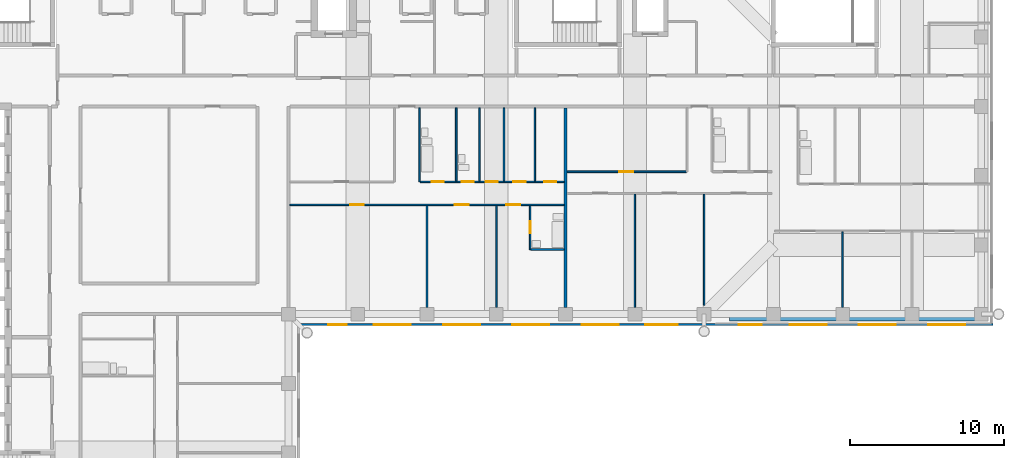
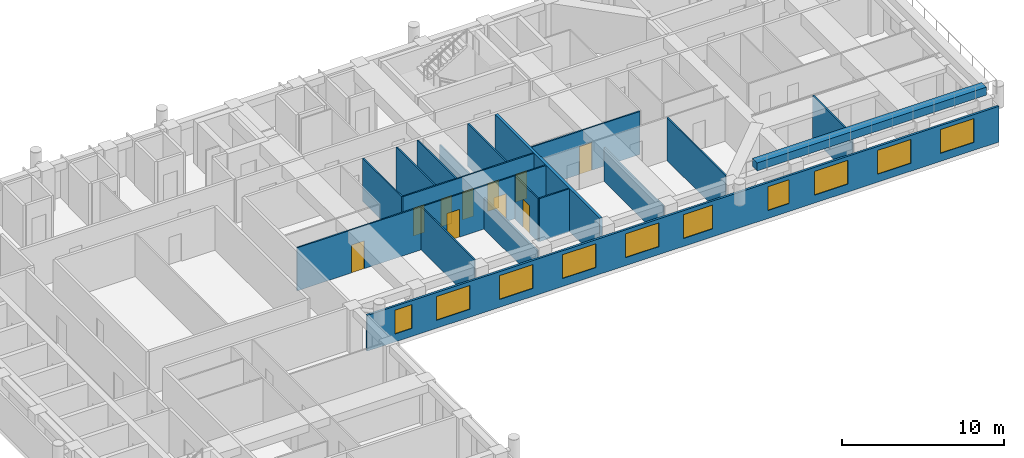
# One storey, part 9 of 14: 18 walls, 10 doors, 10 windows, 20 openings.
"""IFC4 building model written with IfcOpenShell, lengths in metres."""

from ifc_helpers import new_model, si_unit, direction, frame, frame_2d, origin, place, context, subcontext, project, spatial, rectangle, extrude, material, layer, layer_set, type_object, element, fill, save


model = new_model("IFC4")

# Units and contexts
model_context = context("Model", 3, precision=1e-05, world=origin(), true_north=direction((0.0, 1.0)))
body_context = subcontext(model_context, "Body", "Model", "MODEL_VIEW")
ifc_project = project(units=[si_unit("LENGTHUNIT", "METRE"), si_unit("AREAUNIT", "SQUARE_METRE"), si_unit("VOLUMEUNIT", "CUBIC_METRE"), si_unit("PLANEANGLEUNIT", "RADIAN"), si_unit("MASSUNIT", "GRAM", prefix="KILO")], contexts=[model_context])

# Site, building, storey
site_placement = place(None, origin())
site = spatial("IfcSite", under=ifc_project, at=site_placement, CompositionType="ELEMENT")
building_placement = place(site_placement, origin())
building = spatial("IfcBuilding", under=site, at=building_placement, Name="Firuza Court", CompositionType="ELEMENT")
storey_placement = place(building_placement, frame((0.0, 0.0, 182.60009765625)))
storey = spatial("IfcBuildingStorey", under=building, at=storey_placement, Name="L46", CompositionType="ELEMENT", Elevation=182.60009765625)

# Wall, opening, door
ifc_material_1 = material(Name="Moisture-resistant gypsum board partition")
ifc_layer_1 = layer(ifc_material_1, 0.10009765625)
ifc_layer_set_1 = layer_set([ifc_layer_1], Name="Moisture-resistant gypsum board partition")
wall_type_1 = type_object("IfcWallType", Name="Bathroom partition 100", PredefinedType="PLUMBINGWALL", material=ifc_layer_set_1)
wall_1_placement = place(storey_placement, frame((38.199951171875, 40.199951171875, 0.0), z_axis=(0.0, 0.0, 1.0), x_axis=(0.0, 1.0, 0.0)))
wall_1 = element("IfcWall", 1, at=wall_1_placement, inside=storey, type_object=wall_type_1, Name="Bathroom partition 100 L46", PredefinedType="PLUMBINGWALL", context=body_context, shape_type="SweptSolid", body=[
    extrude(rectangle(XDim=2.85009765625, YDim=0.10009765625, at=frame_2d((1.425048828125, 0.0))), origin(), (0.0, 0.0, 1.0), 3.25),
])
opening_1_placement = place(wall_1_placement, frame((1.050048828125, 0.0, 0.0)))
opening_1 = element("IfcOpeningElement", 2, at=opening_1_placement, cuts=wall_1, Name="Opening D46037", PredefinedType="OPENING", context=body_context, shape_type="SweptSolid", body=[
    extrude(rectangle(XDim=0.800048828125, YDim=2.10009765625, at=frame_2d((0.39990234375, 1.050048828125))), frame((0.0, 0.06201171875, 0.0), z_axis=(0.0, -1.0, 0.0), x_axis=(1.0, 0.0, 0.0)), (0.0, 0.0, 1.0), 0.1240234375),
])
ifc_material_2 = material(Name="Timber door leaf in hardwood frame", Category="wood")
door_type_1 = type_object("IfcDoorType", Name="Bathroom door 800", OperationType="SINGLE_SWING_LEFT", PredefinedType="DOOR", material=ifc_material_2)
door_1_placement = place(opening_1_placement, frame((0.800048828125, 0.0, 0.0), z_axis=(0.0, 0.0, 1.0), x_axis=(-1.0, 0.0, 0.0)))
door_1 = element("IfcDoor", 3, at=door_1_placement, inside=storey, type_object=door_type_1, Name="En-suite door", OperationType="SINGLE_SWING_RIGHT", OverallHeight=2.10009765625, OverallWidth=0.800048828125, PredefinedType="DOOR", context=body_context, shape_type="SweptSolid", body=[
    extrude(rectangle(XDim=0.800048828125, YDim=2.10009765625, at=frame_2d((0.39990234375, 1.050048828125))), frame((0.0, 0.02490234375, 0.0), z_axis=(0.0, -1.0, 0.0), x_axis=(1.0, 0.0, 0.0)), (0.0, 0.0, 1.0), 0.050048828125),
])
fill(opening_1, door_1)

# Walls
wall_2_placement = place(storey_placement, frame((38.25, 40.199951171875, 0.0), z_axis=(0.0, 0.0, 1.0), x_axis=(1.0, 0.0, 0.0)))
element("IfcWall", 4, at=wall_2_placement, inside=storey, type_object=wall_type_1, Name="Bathroom partition 100 L46", PredefinedType="PLUMBINGWALL", context=body_context, shape_type="SweptSolid", body=[
    extrude(rectangle(XDim=2.14990234375, YDim=0.10009765625, at=frame_2d((1.074951171875, 0.0))), origin(), (0.0, 0.0, 1.0), 3.25),
])
wall_3_placement = place(storey_placement, frame((31.0, 44.60009765625, 0.0), z_axis=(0.0, 0.0, 1.0), x_axis=(0.0, 1.0, 0.0)))
element("IfcWall", 5, at=wall_3_placement, inside=storey, type_object=wall_type_1, Name="Bathroom partition 100 L46", PredefinedType="PLUMBINGWALL", context=body_context, shape_type="SweptSolid", body=[
    extrude(rectangle(XDim=4.7998046875, YDim=0.10009765625, at=frame_2d((2.39990234375, 0.0))), origin(), (0.0, 0.0, 1.0), 3.25),
])
for number, where, z_axis, x_axis, name in (
    (6, (33.39990234375, 44.64990234375, 0.0), (0.0, 0.0, 1.0), (0.0, 1.0, 0.0), "Bathroom partition 100 L46"),
    (7, (34.89990234375, 44.64990234375, 0.0), (0.0, 0.0, 1.0), (0.0, 1.0, 0.0), "Bathroom partition 100 L46"),
):
    element("IfcWall", number, at=place(storey_placement, frame(where, z_axis=z_axis, x_axis=x_axis)), inside=storey, type_object=wall_type_1, Name=name, PredefinedType="PLUMBINGWALL", context=body_context, shape_type="SweptSolid", body=[
        extrude(rectangle(XDim=4.75, YDim=0.10009765625, at=frame_2d((2.375, 0.0))), origin(), (0.0, 0.0, 1.0), 3.25),
    ])
ifc_material_3 = material(Name="Timber stud partition, plasterboard both sides", Category="wood")
ifc_layer_2 = layer(ifc_material_3, 0.10009765625)
ifc_layer_set_2 = layer_set([ifc_layer_2], Name="Timber stud partition, plasterboard both sides")
wall_type_2 = type_object("IfcWallType", Name="Partition wall 100", PredefinedType="PARTITIONING", material=ifc_layer_set_2)
wall_4_placement = place(storey_placement, frame((31.5, 36.449951171875, 0.0), z_axis=(0.0, 0.0, 1.0), x_axis=(0.0, 1.0, 0.0)))
element("IfcWall", 8, at=wall_4_placement, inside=storey, type_object=wall_type_2, Name="Partition wall 100 L46", PredefinedType="PARTITIONING", context=body_context, shape_type="SweptSolid", body=[
    extrude(rectangle(XDim=6.60009765625, YDim=0.10009765625, at=frame_2d((3.300048828125, 0.0))), origin(), (0.0, 0.0, 1.0), 3.25),
])
wall_5_placement = place(storey_placement, frame((36.0, 36.449951171875, 0.0), z_axis=(0.0, 0.0, 1.0), x_axis=(0.0, 1.0, 0.0)))
element("IfcWall", 9, at=wall_5_placement, inside=storey, type_object=wall_type_2, Name="Partition wall 100 L46", PredefinedType="PARTITIONING", context=body_context, shape_type="SweptSolid", body=[
    extrude(rectangle(XDim=6.60009765625, YDim=0.10009765625, at=frame_2d((3.300048828125, 0.0))), origin(), (0.0, 0.0, 1.0), 2.349853515625),
])
wall_6_placement = place(storey_placement, frame((45.0, 36.449951171875, 0.0), z_axis=(0.0, 0.0, 1.0), x_axis=(0.0, 1.0, 0.0)))
element("IfcWall", 10, at=wall_6_placement, inside=storey, type_object=wall_type_2, Name="Partition wall 100 L46", PredefinedType="PARTITIONING", context=body_context, shape_type="SweptSolid", body=[
    extrude(rectangle(XDim=7.35009765625, YDim=0.10009765625, at=frame_2d((3.675048828125, 0.0))), origin(), (0.0, 0.0, 1.0), 2.5498046875),
])
wall_7_placement = place(storey_placement, frame((49.5, 36.565673828125, 0.0), z_axis=(0.0, 0.0, 1.0), x_axis=(0.0, 1.0, 0.0)))
element("IfcWall", 11, at=wall_7_placement, inside=storey, type_object=wall_type_2, Name="Partition wall 100 L46", PredefinedType="PARTITIONING", context=body_context, shape_type="SweptSolid", body=[
    extrude(rectangle(XDim=7.234375, YDim=0.10009765625, at=frame_2d((3.6171875, 0.0))), origin(), (0.0, 0.0, 1.0), 3.25),
])
wall_8_placement = place(storey_placement, frame((58.5, 36.449951171875, 0.0), z_axis=(0.0, 0.0, 1.0), x_axis=(0.0, 1.0, 0.0)))
element("IfcWall", 12, at=wall_8_placement, inside=storey, type_object=wall_type_2, Name="Partition wall 100 L46", PredefinedType="PARTITIONING", context=body_context, shape_type="SweptSolid", body=[
    extrude(rectangle(XDim=4.900146484375, YDim=0.10009765625, at=frame_2d((2.4501953125, 0.0))), origin(), (0.0, 0.0, 1.0), 3.25),
])

# Wall, openings, doors
wall_9_placement = place(storey_placement, frame((22.60009765625, 43.10009765625, 0.0), z_axis=(0.0, 0.0, 1.0), x_axis=(1.0, 0.0, 0.0)))
wall_9 = element("IfcWall", 13, at=wall_9_placement, inside=storey, type_object=wall_type_2, Name="Partition wall 100 L46", PredefinedType="PARTITIONING", context=body_context, shape_type="SweptSolid", body=[
    extrude(rectangle(XDim=17.7998046875, YDim=0.10009765625, at=frame_2d((8.89990234375, 0.0))), origin(), (0.0, 0.0, 1.0), 3.25),
])
opening_2_placement = place(wall_9_placement, frame((3.89990234375, 0.0, 0.0)))
opening_2 = element("IfcOpeningElement", 14, at=opening_2_placement, cuts=wall_9, Name="Opening D46041", PredefinedType="OPENING", context=body_context, shape_type="SweptSolid", body=[
    extrude(rectangle(XDim=0.89990234375, YDim=2.10009765625, at=frame_2d((0.449951171875, 1.050048828125))), frame((0.0, 0.06201171875, 0.0), z_axis=(0.0, -1.0, 0.0), x_axis=(1.0, 0.0, 0.0)), (0.0, 0.0, 1.0), 0.1240234375),
])
opening_3_placement = place(wall_9_placement, frame((10.699951171875, 0.0, 0.0)))
opening_3 = element("IfcOpeningElement", 15, at=opening_3_placement, cuts=wall_9, Name="Opening D46042", PredefinedType="OPENING", context=body_context, shape_type="SweptSolid", body=[
    extrude(rectangle(XDim=0.89990234375, YDim=2.10009765625, at=frame_2d((0.449951171875, 1.050048828125))), frame((0.0, 0.06201171875, 0.0), z_axis=(0.0, -1.0, 0.0), x_axis=(1.0, 0.0, 0.0)), (0.0, 0.0, 1.0), 0.1240234375),
])
opening_4_placement = place(wall_9_placement, frame((14.050048828125, 0.0, 0.0)))
opening_4 = element("IfcOpeningElement", 16, at=opening_4_placement, cuts=wall_9, Name="Opening D46043", PredefinedType="OPENING", context=body_context, shape_type="SweptSolid", body=[
    extrude(rectangle(XDim=0.89990234375, YDim=2.10009765625, at=frame_2d((0.449951171875, 1.050048828125))), frame((0.0, 0.06201171875, 0.0), z_axis=(0.0, -1.0, 0.0), x_axis=(1.0, 0.0, 0.0)), (0.0, 0.0, 1.0), 0.1240234375),
])
ifc_material_4 = material(Name="Timber door leaf in hardwood frame", Category="wood")
door_type_2 = type_object("IfcDoorType", Name="Room door 900", OperationType="SINGLE_SWING_LEFT", PredefinedType="DOOR", material=ifc_material_4)
door_2_placement = place(opening_2_placement, frame((0.89990234375, 0.0, 0.0), z_axis=(0.0, 0.0, 1.0), x_axis=(-1.0, 0.0, 0.0)))
door_2 = element("IfcDoor", 17, at=door_2_placement, inside=storey, type_object=door_type_2, Name="Living room door", OperationType="SINGLE_SWING_RIGHT", OverallHeight=2.10009765625, OverallWidth=0.89990234375, PredefinedType="DOOR", context=body_context, shape_type="SweptSolid", body=[
    extrude(rectangle(XDim=0.89990234375, YDim=2.10009765625, at=frame_2d((0.449951171875, 1.050048828125))), frame((0.0, 0.02490234375, 0.0), z_axis=(0.0, -1.0, 0.0), x_axis=(1.0, 0.0, 0.0)), (0.0, 0.0, 1.0), 0.050048828125),
])
fill(opening_2, door_2)
door_3_placement = place(opening_3_placement, frame((0.89990234375, 0.0, 0.0), z_axis=(0.0, 0.0, 1.0), x_axis=(-1.0, 0.0, 0.0)))
door_3 = element("IfcDoor", 18, at=door_3_placement, inside=storey, type_object=door_type_2, Name="Bedroom door", OperationType="SINGLE_SWING_RIGHT", OverallHeight=2.10009765625, OverallWidth=0.89990234375, PredefinedType="DOOR", context=body_context, shape_type="SweptSolid", body=[
    extrude(rectangle(XDim=0.89990234375, YDim=2.10009765625, at=frame_2d((0.449951171875, 1.050048828125))), frame((0.0, 0.02490234375, 0.0), z_axis=(0.0, -1.0, 0.0), x_axis=(1.0, 0.0, 0.0)), (0.0, 0.0, 1.0), 0.050048828125),
])
fill(opening_3, door_3)
door_4_placement = place(opening_4_placement, frame((0.89990234375, 0.0, 0.0), z_axis=(0.0, 0.0, 1.0), x_axis=(-1.0, 0.0, 0.0)))
door_4 = element("IfcDoor", 19, at=door_4_placement, inside=storey, type_object=door_type_2, Name="Bedroom door", OperationType="SINGLE_SWING_RIGHT", OverallHeight=2.10009765625, OverallWidth=0.89990234375, PredefinedType="DOOR", context=body_context, shape_type="SweptSolid", body=[
    extrude(rectangle(XDim=0.89990234375, YDim=2.10009765625, at=frame_2d((0.449951171875, 1.050048828125))), frame((0.0, 0.02490234375, 0.0), z_axis=(0.0, -1.0, 0.0), x_axis=(1.0, 0.0, 0.0)), (0.0, 0.0, 1.0), 0.050048828125),
])
fill(opening_4, door_4)

wall_10_placement = place(storey_placement, frame((31.050048828125, 44.60009765625, 0.0), z_axis=(0.0, 0.0, 1.0), x_axis=(1.0, 0.0, 0.0)))
wall_10 = element("IfcWall", 20, at=wall_10_placement, inside=storey, type_object=wall_type_2, Name="Partition wall 100 L46", PredefinedType="PARTITIONING", context=body_context, shape_type="SweptSolid", body=[
    extrude(rectangle(XDim=9.349853515625, YDim=0.10009765625, at=frame_2d((4.6748046875, 0.0))), origin(), (0.0, 0.0, 1.0), 3.25),
])
opening_5_placement = place(wall_10_placement, frame((0.75, 0.0, 0.0)))
opening_5 = element("IfcOpeningElement", 21, at=opening_5_placement, cuts=wall_10, Name="Opening D46051", PredefinedType="OPENING", context=body_context, shape_type="SweptSolid", body=[
    extrude(rectangle(XDim=0.800048828125, YDim=2.10009765625, at=frame_2d((0.39990234375, 1.050048828125))), frame((0.0, 0.06201171875, 0.0), z_axis=(0.0, -1.0, 0.0), x_axis=(1.0, 0.0, 0.0)), (0.0, 0.0, 1.0), 0.1240234375),
])
opening_6_placement = place(wall_10_placement, frame((8.050048828125, 0.0, 0.0)))
opening_6 = element("IfcOpeningElement", 22, at=opening_6_placement, cuts=wall_10, Name="Opening D46052", PredefinedType="OPENING", context=body_context, shape_type="SweptSolid", body=[
    extrude(rectangle(XDim=0.800048828125, YDim=2.10009765625, at=frame_2d((0.39990234375, 1.050048828125))), frame((0.0, 0.06201171875, 0.0), z_axis=(0.0, -1.0, 0.0), x_axis=(1.0, 0.0, 0.0)), (0.0, 0.0, 1.0), 0.1240234375),
])
opening_7_placement = place(wall_10_placement, frame((4.25, 0.0, 0.0)))
opening_7 = element("IfcOpeningElement", 23, at=opening_7_placement, cuts=wall_10, Name="Opening D46053", PredefinedType="OPENING", context=body_context, shape_type="SweptSolid", body=[
    extrude(rectangle(XDim=0.800048828125, YDim=2.10009765625, at=frame_2d((0.39990234375, 1.050048828125))), frame((0.0, 0.06201171875, 0.0), z_axis=(0.0, -1.0, 0.0), x_axis=(1.0, 0.0, 0.0)), (0.0, 0.0, 1.0), 0.1240234375),
])
opening_8_placement = place(wall_10_placement, frame((6.050048828125, 0.0, 0.0)))
opening_8 = element("IfcOpeningElement", 24, at=opening_8_placement, cuts=wall_10, Name="Opening D46054", PredefinedType="OPENING", context=body_context, shape_type="SweptSolid", body=[
    extrude(rectangle(XDim=0.800048828125, YDim=2.10009765625, at=frame_2d((0.39990234375, 1.050048828125))), frame((0.0, 0.06201171875, 0.0), z_axis=(0.0, -1.0, 0.0), x_axis=(1.0, 0.0, 0.0)), (0.0, 0.0, 1.0), 0.1240234375),
])
opening_9_placement = place(wall_10_placement, frame((2.699951171875, 0.0, 0.0)))
opening_9 = element("IfcOpeningElement", 25, at=opening_9_placement, cuts=wall_10, Name="Opening D46055", PredefinedType="OPENING", context=body_context, shape_type="SweptSolid", body=[
    extrude(rectangle(XDim=0.800048828125, YDim=2.10009765625, at=frame_2d((0.39990234375, 1.050048828125))), frame((0.0, 0.06201171875, 0.0), z_axis=(0.0, -1.0, 0.0), x_axis=(1.0, 0.0, 0.0)), (0.0, 0.0, 1.0), 0.1240234375),
])
door_5_placement = place(opening_5_placement, origin())
door_5 = element("IfcDoor", 26, at=door_5_placement, inside=storey, type_object=door_type_1, Name="Bathroom door", OperationType="SINGLE_SWING_LEFT", OverallHeight=2.10009765625, OverallWidth=0.800048828125, PredefinedType="DOOR", context=body_context, shape_type="SweptSolid", body=[
    extrude(rectangle(XDim=0.800048828125, YDim=2.10009765625, at=frame_2d((0.39990234375, 1.050048828125))), frame((0.0, 0.02490234375, 0.0), z_axis=(0.0, -1.0, 0.0), x_axis=(1.0, 0.0, 0.0)), (0.0, 0.0, 1.0), 0.050048828125),
])
fill(opening_5, door_5)
door_6_placement = place(opening_9_placement, origin())
door_6 = element("IfcDoor", 27, at=door_6_placement, inside=storey, type_object=door_type_1, Name="Powder room door", OperationType="SINGLE_SWING_LEFT", OverallHeight=2.10009765625, OverallWidth=0.800048828125, PredefinedType="DOOR", context=body_context, shape_type="SweptSolid", body=[
    extrude(rectangle(XDim=0.800048828125, YDim=2.10009765625, at=frame_2d((0.39990234375, 1.050048828125))), frame((0.0, 0.02490234375, 0.0), z_axis=(0.0, -1.0, 0.0), x_axis=(1.0, 0.0, 0.0)), (0.0, 0.0, 1.0), 0.050048828125),
])
fill(opening_9, door_6)
ifc_material_5 = material(Name="Timber door leaf in hardwood frame", Category="wood")
door_type_3 = type_object("IfcDoorType", Name="Room door 800", OperationType="SINGLE_SWING_LEFT", PredefinedType="DOOR", material=ifc_material_5)
door_7_placement = place(opening_6_placement, origin())
door_7 = element("IfcDoor", 28, at=door_7_placement, inside=storey, type_object=door_type_3, Name="Pantry door", OperationType="SINGLE_SWING_LEFT", OverallHeight=2.10009765625, OverallWidth=0.800048828125, PredefinedType="DOOR", context=body_context, shape_type="SweptSolid", body=[
    extrude(rectangle(XDim=0.800048828125, YDim=2.10009765625, at=frame_2d((0.39990234375, 1.050048828125))), frame((0.0, 0.02490234375, 0.0), z_axis=(0.0, -1.0, 0.0), x_axis=(1.0, 0.0, 0.0)), (0.0, 0.0, 1.0), 0.050048828125),
])
fill(opening_6, door_7)
door_8_placement = place(opening_7_placement, origin())
door_8 = element("IfcDoor", 29, at=door_8_placement, inside=storey, type_object=door_type_3, Name="Store door", OperationType="SINGLE_SWING_LEFT", OverallHeight=2.10009765625, OverallWidth=0.800048828125, PredefinedType="DOOR", context=body_context, shape_type="SweptSolid", body=[
    extrude(rectangle(XDim=0.800048828125, YDim=2.10009765625, at=frame_2d((0.39990234375, 1.050048828125))), frame((0.0, 0.02490234375, 0.0), z_axis=(0.0, -1.0, 0.0), x_axis=(1.0, 0.0, 0.0)), (0.0, 0.0, 1.0), 0.050048828125),
])
fill(opening_7, door_8)
door_9_placement = place(opening_8_placement, origin())
door_9 = element("IfcDoor", 30, at=door_9_placement, inside=storey, type_object=door_type_3, Name="Utility room door", OperationType="SINGLE_SWING_LEFT", OverallHeight=2.10009765625, OverallWidth=0.800048828125, PredefinedType="DOOR", context=body_context, shape_type="SweptSolid", body=[
    extrude(rectangle(XDim=0.800048828125, YDim=2.10009765625, at=frame_2d((0.39990234375, 1.050048828125))), frame((0.0, 0.02490234375, 0.0), z_axis=(0.0, -1.0, 0.0), x_axis=(1.0, 0.0, 0.0)), (0.0, 0.0, 1.0), 0.050048828125),
])
fill(opening_8, door_9)

# Walls
wall_11_placement = place(storey_placement, frame((36.5, 44.64990234375, 0.0), z_axis=(0.0, 0.0, 1.0), x_axis=(0.0, 1.0, 0.0)))
element("IfcWall", 31, at=wall_11_placement, inside=storey, type_object=wall_type_2, Name="Partition wall 100 L46", PredefinedType="PARTITIONING", context=body_context, shape_type="SweptSolid", body=[
    extrude(rectangle(XDim=4.75, YDim=0.10009765625, at=frame_2d((2.375, 0.0))), origin(), (0.0, 0.0, 1.0), 2.349853515625),
])
wall_12_placement = place(storey_placement, frame((38.5, 44.64990234375, 0.0), z_axis=(0.0, 0.0, 1.0), x_axis=(0.0, 1.0, 0.0)))
element("IfcWall", 32, at=wall_12_placement, inside=storey, type_object=wall_type_2, Name="Partition wall 100 L46", PredefinedType="PARTITIONING", context=body_context, shape_type="SweptSolid", body=[
    extrude(rectangle(XDim=4.75, YDim=0.10009765625, at=frame_2d((2.375, 0.0))), origin(), (0.0, 0.0, 1.0), 3.25),
])

# Wall, opening, door
wall_13_placement = place(storey_placement, frame((40.60009765625, 45.25, 0.0), z_axis=(0.0, 0.0, 1.0), x_axis=(1.0, 0.0, 0.0)))
wall_13 = element("IfcWall", 33, at=wall_13_placement, inside=storey, type_object=wall_type_2, Name="Partition wall 100 L46", PredefinedType="PARTITIONING", context=body_context, shape_type="SweptSolid", body=[
    extrude(rectangle(XDim=7.75, YDim=0.10009765625, at=frame_2d((3.875, 0.0))), origin(), (0.0, 0.0, 1.0), 3.25),
])
opening_10_placement = place(wall_13_placement, frame((3.39990234375, 0.0, 0.0)))
opening_10 = element("IfcOpeningElement", 34, at=opening_10_placement, cuts=wall_13, Name="Opening D46056", PredefinedType="OPENING", context=body_context, shape_type="SweptSolid", body=[
    extrude(rectangle(XDim=0.89990234375, YDim=2.10009765625, at=frame_2d((0.449951171875, 1.050048828125))), frame((0.0, 0.06201171875, 0.0), z_axis=(0.0, -1.0, 0.0), x_axis=(1.0, 0.0, 0.0)), (0.0, 0.0, 1.0), 0.1240234375),
])
door_10_placement = place(opening_10_placement, origin())
door_10 = element("IfcDoor", 35, at=door_10_placement, inside=storey, type_object=door_type_2, Name="Kitchen door", OperationType="SINGLE_SWING_LEFT", OverallHeight=2.10009765625, OverallWidth=0.89990234375, PredefinedType="DOOR", context=body_context, shape_type="SweptSolid", body=[
    extrude(rectangle(XDim=0.89990234375, YDim=2.10009765625, at=frame_2d((0.449951171875, 1.050048828125))), frame((0.0, 0.02490234375, 0.0), z_axis=(0.0, -1.0, 0.0), x_axis=(1.0, 0.0, 0.0)), (0.0, 0.0, 1.0), 0.050048828125),
])
fill(opening_10, door_10)

# Wall
ifc_material_6 = material(Name="Blockwork, plastered both sides", Category="masonry")
ifc_layer_3 = layer(ifc_material_6, 0.199951171875)
ifc_layer_set_3 = layer_set([ifc_layer_3], Name="Blockwork, plastered both sides")
wall_type_3 = type_object("IfcWallType", Name="Party wall 200", PredefinedType="PARTITIONING", material=ifc_layer_set_3)
wall_14_placement = place(storey_placement, frame((40.5, 36.449951171875, 0.0), z_axis=(0.0, 0.0, 1.0), x_axis=(0.0, 1.0, 0.0)))
element("IfcWall", 36, at=wall_14_placement, inside=storey, type_object=wall_type_3, Name="Party wall 200 L46", PredefinedType="PARTITIONING", context=body_context, shape_type="SweptSolid", body=[
    extrude(rectangle(XDim=12.949951171875, YDim=0.199951171875, at=frame_2d((6.47509765625, 0.0))), origin(), (0.0, 0.0, 1.0), 3.25),
])

# Wall, openings, windows
ifc_material_7 = material(Name="Ceramic tile", Category="ceramic")
ifc_layer_4 = layer(ifc_material_7, 0.02001953125)
ifc_material_8 = material(Name="Mineral wool insulation", Category="insulation")
ifc_layer_5 = layer(ifc_material_8, 0.050048828125)
ifc_material_9 = material(Name="Concrete C40/50 precast", Category="concrete")
ifc_layer_6 = layer(ifc_material_9, 0.080078125)
ifc_layer_set_4 = layer_set([ifc_layer_4, ifc_layer_5, ifc_layer_6], Name="Concrete C40/50 precast")
wall_type_4 = type_object("IfcWallType", Name="Precast cladding wall with turquoise TILE PANEL face 150", PredefinedType="STANDARD", material=ifc_layer_set_4)
wall_15_placement = place(storey_placement, frame((23.10009765625, 35.324951171875, 0.0), z_axis=(0.0, 0.0, 1.0), x_axis=(1.0, 0.0, 0.0)))
wall_15 = element("IfcWall", 37, at=wall_15_placement, inside=storey, type_object=wall_type_4, Name="Facade wall L46 S", PredefinedType="STANDARD", context=body_context, shape_type="SweptSolid", body=[
    extrude(rectangle(XDim=45.14990234375, YDim=0.14990234375, at=frame_2d((22.574951171875, 0.0))), origin(), (0.0, 0.0, 1.0), 2.699951171875),
])
opening_11_placement = place(wall_15_placement, frame((1.989013671875, 0.0, 0.60009765625)))
opening_11 = element("IfcOpeningElement", 38, at=opening_11_placement, cuts=wall_15, Name="Opening W8", PredefinedType="OPENING", context=body_context, shape_type="SweptSolid", body=[
    extrude(rectangle(XDim=1.199951171875, YDim=1.800048828125, at=frame_2d((0.60009765625, 0.89990234375))), frame((0.0, 0.0869140625, 0.0), z_axis=(0.0, -1.0, 0.0), x_axis=(1.0, 0.0, 0.0)), (0.0, 0.0, 1.0), 0.173828125),
])
opening_12_placement = place(wall_15_placement, frame((4.949951171875, 0.0, 0.60009765625)))
opening_12 = element("IfcOpeningElement", 39, at=opening_12_placement, cuts=wall_15, Name="Opening W1", PredefinedType="OPENING", context=body_context, shape_type="SweptSolid", body=[
    extrude(rectangle(XDim=2.39990234375, YDim=1.800048828125, at=frame_2d((1.199951171875, 0.89990234375))), frame((0.0, 0.0869140625, 0.0), z_axis=(0.0, -1.0, 0.0), x_axis=(1.0, 0.0, 0.0)), (0.0, 0.0, 1.0), 0.173828125),
])
opening_13_placement = place(wall_15_placement, frame((9.449951171875, 0.0, 0.60009765625)))
opening_13 = element("IfcOpeningElement", 40, at=opening_13_placement, cuts=wall_15, Name="Opening W1", PredefinedType="OPENING", context=body_context, shape_type="SweptSolid", body=[
    extrude(rectangle(XDim=2.39990234375, YDim=1.800048828125, at=frame_2d((1.199951171875, 0.89990234375))), frame((0.0, 0.0869140625, 0.0), z_axis=(0.0, -1.0, 0.0), x_axis=(1.0, 0.0, 0.0)), (0.0, 0.0, 1.0), 0.173828125),
])
opening_14_placement = place(wall_15_placement, frame((13.949951171875, 0.0, 0.60009765625)))
opening_14 = element("IfcOpeningElement", 41, at=opening_14_placement, cuts=wall_15, Name="Opening W1", PredefinedType="OPENING", context=body_context, shape_type="SweptSolid", body=[
    extrude(rectangle(XDim=2.39990234375, YDim=1.800048828125, at=frame_2d((1.199951171875, 0.89990234375))), frame((0.0, 0.0869140625, 0.0), z_axis=(0.0, -1.0, 0.0), x_axis=(1.0, 0.0, 0.0)), (0.0, 0.0, 1.0), 0.173828125),
])
opening_15_placement = place(wall_15_placement, frame((18.449951171875, 0.0, 0.60009765625)))
opening_15 = element("IfcOpeningElement", 42, at=opening_15_placement, cuts=wall_15, Name="Opening W1", PredefinedType="OPENING", context=body_context, shape_type="SweptSolid", body=[
    extrude(rectangle(XDim=2.39990234375, YDim=1.800048828125, at=frame_2d((1.199951171875, 0.89990234375))), frame((0.0, 0.0869140625, 0.0), z_axis=(0.0, -1.0, 0.0), x_axis=(1.0, 0.0, 0.0)), (0.0, 0.0, 1.0), 0.173828125),
])
opening_16_placement = place(wall_15_placement, frame((22.5888671875, 0.0, 0.60009765625)))
opening_16 = element("IfcOpeningElement", 43, at=opening_16_placement, cuts=wall_15, Name="Opening W6", PredefinedType="OPENING", context=body_context, shape_type="SweptSolid", body=[
    extrude(rectangle(XDim=2.10009765625, YDim=1.800048828125, at=frame_2d((1.050048828125, 0.89990234375))), frame((0.0, 0.0869140625, 0.0), z_axis=(0.0, -1.0, 0.0), x_axis=(1.0, 0.0, 0.0)), (0.0, 0.0, 1.0), 0.173828125),
])
opening_17_placement = place(wall_15_placement, frame((28.6533203125, 0.0, 0.60009765625)))
opening_17 = element("IfcOpeningElement", 44, at=opening_17_placement, cuts=wall_15, Name="Opening W2", PredefinedType="OPENING", context=body_context, shape_type="SweptSolid", body=[
    extrude(rectangle(XDim=1.5, YDim=1.800048828125, at=frame_2d((0.75, 0.89990234375))), frame((0.0, 0.0869140625, 0.0), z_axis=(0.0, -1.0, 0.0), x_axis=(1.0, 0.0, 0.0)), (0.0, 0.0, 1.0), 0.173828125),
])
opening_18_placement = place(wall_15_placement, frame((31.949951171875, 0.0, 0.60009765625)))
opening_18 = element("IfcOpeningElement", 45, at=opening_18_placement, cuts=wall_15, Name="Opening W1", PredefinedType="OPENING", context=body_context, shape_type="SweptSolid", body=[
    extrude(rectangle(XDim=2.39990234375, YDim=1.800048828125, at=frame_2d((1.199951171875, 0.89990234375))), frame((0.0, 0.0869140625, 0.0), z_axis=(0.0, -1.0, 0.0), x_axis=(1.0, 0.0, 0.0)), (0.0, 0.0, 1.0), 0.173828125),
])
opening_19_placement = place(wall_15_placement, frame((36.449951171875, 0.0, 0.60009765625)))
opening_19 = element("IfcOpeningElement", 46, at=opening_19_placement, cuts=wall_15, Name="Opening W1", PredefinedType="OPENING", context=body_context, shape_type="SweptSolid", body=[
    extrude(rectangle(XDim=2.39990234375, YDim=1.800048828125, at=frame_2d((1.199951171875, 0.89990234375))), frame((0.0, 0.0869140625, 0.0), z_axis=(0.0, -1.0, 0.0), x_axis=(1.0, 0.0, 0.0)), (0.0, 0.0, 1.0), 0.173828125),
])
opening_20_placement = place(wall_15_placement, frame((40.949951171875, 0.0, 0.60009765625)))
opening_20 = element("IfcOpeningElement", 47, at=opening_20_placement, cuts=wall_15, Name="Opening W1", PredefinedType="OPENING", context=body_context, shape_type="SweptSolid", body=[
    extrude(rectangle(XDim=2.39990234375, YDim=1.800048828125, at=frame_2d((1.199951171875, 0.89990234375))), frame((0.0, 0.0869140625, 0.0), z_axis=(0.0, -1.0, 0.0), x_axis=(1.0, 0.0, 0.0)), (0.0, 0.0, 1.0), 0.173828125),
])
ifc_material_10 = material(Name="Aluminium frame, triple clear glazing", Category="aluminium")
window_type_1 = type_object("IfcWindowType", Name="Window W1 2400 x 1800", PartitioningType="SINGLE_PANEL", PredefinedType="WINDOW", material=ifc_material_10)
window_1_placement = place(opening_12_placement, origin())
window_1 = element("IfcWindow", 48, at=window_1_placement, inside=storey, type_object=window_type_1, Name="Window L46", OverallHeight=1.800048828125, OverallWidth=2.39990234375, PartitioningType="SINGLE_PANEL", PredefinedType="WINDOW", context=body_context, shape_type="SweptSolid", body=[
    extrude(rectangle(XDim=2.39990234375, YDim=1.800048828125, at=frame_2d((1.199951171875, 0.89990234375))), frame((0.0, 0.030029296875, 0.0), z_axis=(0.0, -1.0, 0.0), x_axis=(1.0, 0.0, 0.0)), (0.0, 0.0, 1.0), 0.06005859375),
])
fill(opening_12, window_1)
window_2_placement = place(opening_13_placement, origin())
window_2 = element("IfcWindow", 49, at=window_2_placement, inside=storey, type_object=window_type_1, Name="Window L46", OverallHeight=1.800048828125, OverallWidth=2.39990234375, PartitioningType="SINGLE_PANEL", PredefinedType="WINDOW", context=body_context, shape_type="SweptSolid", body=[
    extrude(rectangle(XDim=2.39990234375, YDim=1.800048828125, at=frame_2d((1.199951171875, 0.89990234375))), frame((0.0, 0.030029296875, 0.0), z_axis=(0.0, -1.0, 0.0), x_axis=(1.0, 0.0, 0.0)), (0.0, 0.0, 1.0), 0.06005859375),
])
fill(opening_13, window_2)
window_3_placement = place(opening_14_placement, origin())
window_3 = element("IfcWindow", 50, at=window_3_placement, inside=storey, type_object=window_type_1, Name="Window L46", OverallHeight=1.800048828125, OverallWidth=2.39990234375, PartitioningType="SINGLE_PANEL", PredefinedType="WINDOW", context=body_context, shape_type="SweptSolid", body=[
    extrude(rectangle(XDim=2.39990234375, YDim=1.800048828125, at=frame_2d((1.199951171875, 0.89990234375))), frame((0.0, 0.030029296875, 0.0), z_axis=(0.0, -1.0, 0.0), x_axis=(1.0, 0.0, 0.0)), (0.0, 0.0, 1.0), 0.06005859375),
])
fill(opening_14, window_3)
window_4_placement = place(opening_15_placement, origin())
window_4 = element("IfcWindow", 51, at=window_4_placement, inside=storey, type_object=window_type_1, Name="Window L46", OverallHeight=1.800048828125, OverallWidth=2.39990234375, PartitioningType="SINGLE_PANEL", PredefinedType="WINDOW", context=body_context, shape_type="SweptSolid", body=[
    extrude(rectangle(XDim=2.39990234375, YDim=1.800048828125, at=frame_2d((1.199951171875, 0.89990234375))), frame((0.0, 0.030029296875, 0.0), z_axis=(0.0, -1.0, 0.0), x_axis=(1.0, 0.0, 0.0)), (0.0, 0.0, 1.0), 0.06005859375),
])
fill(opening_15, window_4)
window_5_placement = place(opening_18_placement, origin())
window_5 = element("IfcWindow", 52, at=window_5_placement, inside=storey, type_object=window_type_1, Name="Window L46", OverallHeight=1.800048828125, OverallWidth=2.39990234375, PartitioningType="SINGLE_PANEL", PredefinedType="WINDOW", context=body_context, shape_type="SweptSolid", body=[
    extrude(rectangle(XDim=2.39990234375, YDim=1.800048828125, at=frame_2d((1.199951171875, 0.89990234375))), frame((0.0, 0.030029296875, 0.0), z_axis=(0.0, -1.0, 0.0), x_axis=(1.0, 0.0, 0.0)), (0.0, 0.0, 1.0), 0.06005859375),
])
fill(opening_18, window_5)
window_6_placement = place(opening_19_placement, origin())
window_6 = element("IfcWindow", 53, at=window_6_placement, inside=storey, type_object=window_type_1, Name="Window L46", OverallHeight=1.800048828125, OverallWidth=2.39990234375, PartitioningType="SINGLE_PANEL", PredefinedType="WINDOW", context=body_context, shape_type="SweptSolid", body=[
    extrude(rectangle(XDim=2.39990234375, YDim=1.800048828125, at=frame_2d((1.199951171875, 0.89990234375))), frame((0.0, 0.030029296875, 0.0), z_axis=(0.0, -1.0, 0.0), x_axis=(1.0, 0.0, 0.0)), (0.0, 0.0, 1.0), 0.06005859375),
])
fill(opening_19, window_6)
window_7_placement = place(opening_20_placement, origin())
window_7 = element("IfcWindow", 54, at=window_7_placement, inside=storey, type_object=window_type_1, Name="Window L46", OverallHeight=1.800048828125, OverallWidth=2.39990234375, PartitioningType="SINGLE_PANEL", PredefinedType="WINDOW", context=body_context, shape_type="SweptSolid", body=[
    extrude(rectangle(XDim=2.39990234375, YDim=1.800048828125, at=frame_2d((1.199951171875, 0.89990234375))), frame((0.0, 0.030029296875, 0.0), z_axis=(0.0, -1.0, 0.0), x_axis=(1.0, 0.0, 0.0)), (0.0, 0.0, 1.0), 0.06005859375),
])
fill(opening_20, window_7)
ifc_material_11 = material(Name="Aluminium frame, triple clear glazing", Category="aluminium")
window_type_2 = type_object("IfcWindowType", Name="Window W2 1500 x 1800", PartitioningType="SINGLE_PANEL", PredefinedType="WINDOW", material=ifc_material_11)
window_8_placement = place(opening_17_placement, origin())
window_8 = element("IfcWindow", 55, at=window_8_placement, inside=storey, type_object=window_type_2, Name="Window L46", OverallHeight=1.800048828125, OverallWidth=1.5, PartitioningType="SINGLE_PANEL", PredefinedType="WINDOW", context=body_context, shape_type="SweptSolid", body=[
    extrude(rectangle(XDim=1.5, YDim=1.800048828125, at=frame_2d((0.75, 0.89990234375))), frame((0.0, 0.030029296875, 0.0), z_axis=(0.0, -1.0, 0.0), x_axis=(1.0, 0.0, 0.0)), (0.0, 0.0, 1.0), 0.06005859375),
])
fill(opening_17, window_8)
ifc_material_12 = material(Name="Aluminium frame, triple clear glazing", Category="aluminium")
window_type_3 = type_object("IfcWindowType", Name="Window W6 2100 x 1800", PartitioningType="SINGLE_PANEL", PredefinedType="WINDOW", material=ifc_material_12)
window_9_placement = place(opening_16_placement, origin())
window_9 = element("IfcWindow", 56, at=window_9_placement, inside=storey, type_object=window_type_3, Name="Window L46", OverallHeight=1.800048828125, OverallWidth=2.10009765625, PartitioningType="SINGLE_PANEL", PredefinedType="WINDOW", context=body_context, shape_type="SweptSolid", body=[
    extrude(rectangle(XDim=2.10009765625, YDim=1.800048828125, at=frame_2d((1.050048828125, 0.89990234375))), frame((0.0, 0.030029296875, 0.0), z_axis=(0.0, -1.0, 0.0), x_axis=(1.0, 0.0, 0.0)), (0.0, 0.0, 1.0), 0.06005859375),
])
fill(opening_16, window_9)
ifc_material_13 = material(Name="Aluminium frame, triple clear glazing", Category="aluminium")
window_type_4 = type_object("IfcWindowType", Name="Window W8 1200 x 1800", PartitioningType="SINGLE_PANEL", PredefinedType="WINDOW", material=ifc_material_13)
window_10_placement = place(opening_11_placement, origin())
window_10 = element("IfcWindow", 57, at=window_10_placement, inside=storey, type_object=window_type_4, Name="Window L46", OverallHeight=1.800048828125, OverallWidth=1.199951171875, PartitioningType="SINGLE_PANEL", PredefinedType="WINDOW", context=body_context, shape_type="SweptSolid", body=[
    extrude(rectangle(XDim=1.199951171875, YDim=1.800048828125, at=frame_2d((0.60009765625, 0.89990234375))), frame((0.0, 0.030029296875, 0.0), z_axis=(0.0, -1.0, 0.0), x_axis=(1.0, 0.0, 0.0)), (0.0, 0.0, 1.0), 0.06005859375),
])
fill(opening_11, window_10)

# Wall
ifc_layer_7 = layer(ifc_material_7, 0.02001953125)
ifc_layer_8 = layer(ifc_material_9, 0.14990234375)
ifc_material_14 = material(Name="Planting soil", Category="soil")
ifc_layer_9 = layer(ifc_material_14, 0.429931640625)
ifc_layer_set_5 = layer_set([ifc_layer_7, ifc_layer_8, ifc_layer_9], Name="Concrete C40/50 precast")
wall_type_5 = type_object("IfcWallType", Name="Terrace planter 600", PredefinedType="STANDARD", material=ifc_layer_set_5)
wall_16_placement = place(storey_placement, frame((67.530029296875, 35.8701171875, 3.599853515625), z_axis=(0.0, 0.0, 1.0), x_axis=(-1.0, 0.0, 0.0)))
element("IfcWall", 58, at=wall_16_placement, inside=storey, type_object=wall_type_5, Name="PLANTER L46", PredefinedType="STANDARD", context=body_context, shape_type="SweptSolid", body=[
    extrude(rectangle(XDim=16.380126953125, YDim=0.60009765625, at=frame_2d((8.18994140625, 0.0))), origin(), (0.0, 0.0, 1.0), 0.60009765625),
])

save(model, "model.ifc")
